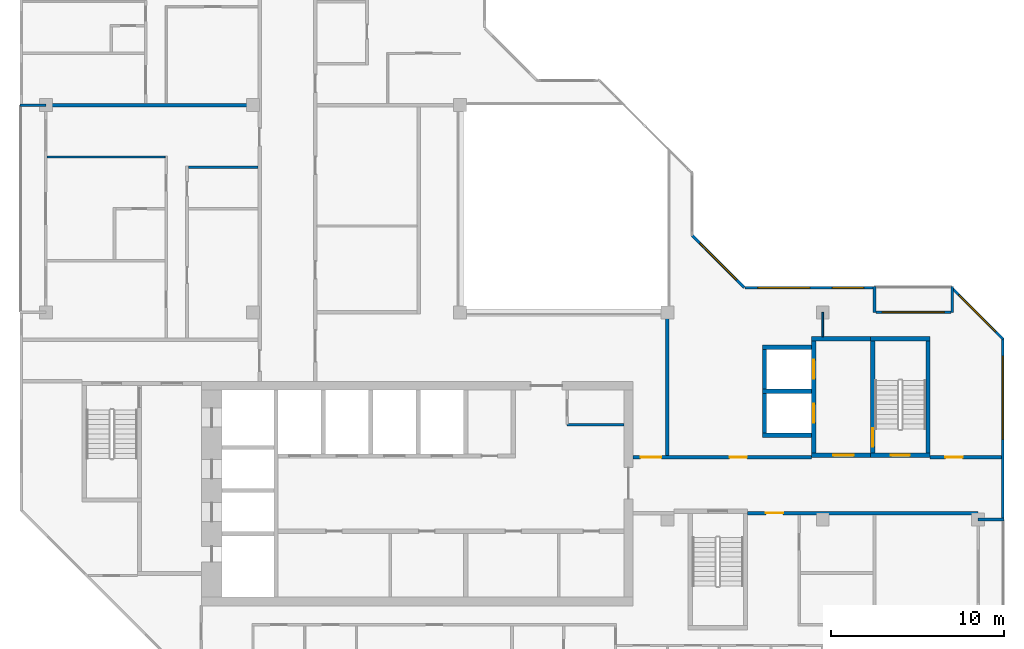
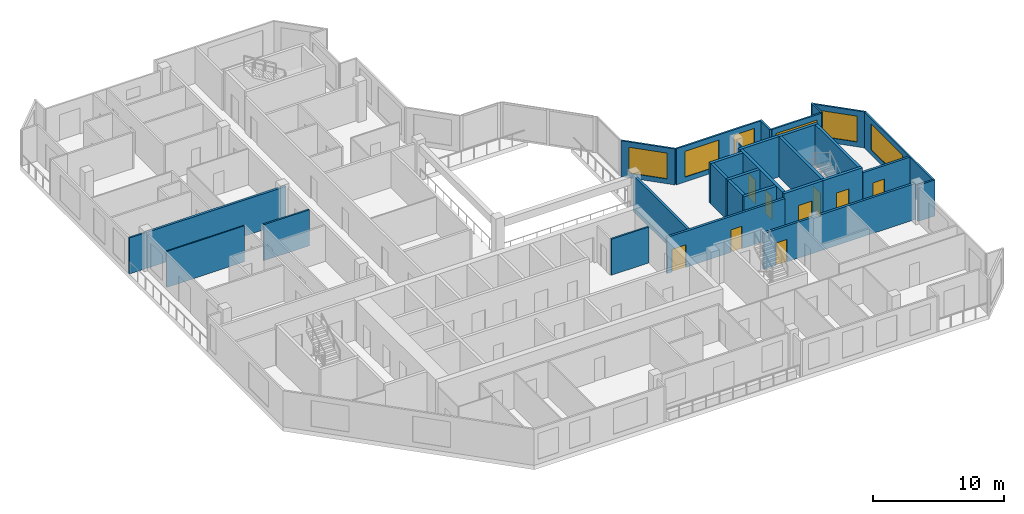
# One storey, part 7 of 12: 30 walls, 9 doors, 6 windows, 15 openings.
"""IFC4 building model written with IfcOpenShell, lengths in metres."""

from ifc_helpers import new_model, si_unit, direction, frame, frame_2d, origin, place, context, subcontext, project, spatial, rectangle, extrude, material, layer, layer_set, type_object, element, fill, save


model = new_model("IFC4")

# Units and contexts
model_context = context("Model", 3, precision=1e-05, world=origin(), true_north=direction((0.0, 1.0)))
body_context = subcontext(model_context, "Body", "Model", "MODEL_VIEW")
ifc_project = project(units=[si_unit("LENGTHUNIT", "METRE"), si_unit("AREAUNIT", "SQUARE_METRE"), si_unit("VOLUMEUNIT", "CUBIC_METRE"), si_unit("PLANEANGLEUNIT", "RADIAN"), si_unit("MASSUNIT", "GRAM", prefix="KILO")], contexts=[model_context])

# Site, building, storey
site_placement = place(None, origin())
site = spatial("IfcSite", under=ifc_project, at=site_placement, CompositionType="ELEMENT")
building_placement = place(site_placement, origin())
building = spatial("IfcBuilding", under=site, at=building_placement, Name="Chenar Terraces", CompositionType="ELEMENT")
storey_placement = place(building_placement, frame((0.0, 0.0, 357.64990234375)))
storey = spatial("IfcBuildingStorey", under=building, at=storey_placement, Name="L83", CompositionType="ELEMENT", Elevation=357.64990234375)

# Wall
ifc_material_1 = material(Name="Gypsum board on steel studs", Category="steel")
ifc_layer_1 = layer(ifc_material_1, 0.14990234375)
ifc_layer_set_1 = layer_set([ifc_layer_1], Name="Gypsum board on steel studs")
wall_type_1 = type_object("IfcWallType", Name="Core partition 150 gypsum board", PredefinedType="PARTITIONING", material=ifc_layer_set_1)
wall_1_placement = place(storey_placement, frame((30.199951171875, 17.5, 0.0), z_axis=(0.0, 0.0, 1.0), x_axis=(1.0, 0.0, 0.0)))
element("IfcWall", 1, at=wall_1_placement, inside=storey, type_object=wall_type_1, Name="Core partition CP1 vestibule room south wall", PredefinedType="PARTITIONING", context=body_context, shape_type="SweptSolid", body=[
    extrude(rectangle(XDim=3.300048828125, YDim=0.14990234375, at=frame_2d((1.64990234375, 0.0))), origin(), (0.0, 0.0, 1.0), 3.35009765625),
])

# Wall, opening, door
ifc_material_2 = material(Name="Concrete C50/60", Category="concrete")
ifc_layer_2 = layer(ifc_material_2, 0.25)
ifc_layer_set_2 = layer_set([ifc_layer_2], Name="Concrete C50/60")
wall_type_2 = type_object("IfcWallType", Name="Core wall 250 Concrete C50/60", PredefinedType="SHEAR", material=ifc_layer_set_2)
wall_2_placement = place(storey_placement, frame((47.77490234375, 15.72509765625, 0.0), z_axis=(0.0, 0.0, 1.0), x_axis=(1.0, 0.0, 0.0)))
wall_2 = element("IfcWall", 2, at=wall_2_placement, inside=storey, type_object=wall_type_2, Name="Core wall ST3_S L83", PredefinedType="SHEAR", context=body_context, shape_type="SweptSolid", body=[
    extrude(rectangle(XDim=3.4501953125, YDim=0.25, at=frame_2d((1.72509765625, 0.0))), origin(), (0.0, 0.0, 1.0), 3.75),
])
opening_1_placement = place(wall_2_placement, frame((1.175048828125, 0.0, 0.0)))
opening_1 = element("IfcOpeningElement", 3, at=opening_1_placement, cuts=wall_2, Name="Opening DL83-C8", PredefinedType="OPENING", context=body_context, shape_type="SweptSolid", body=[
    extrude(rectangle(XDim=1.10009765625, YDim=2.199951171875, at=frame_2d((0.550048828125, 1.10009765625))), frame((0.0, 0.135009765625, 0.0), z_axis=(0.0, -1.0, 0.0), x_axis=(1.0, 0.0, 0.0)), (0.0, 0.0, 1.0), 0.27001953125),
])
ifc_material_3 = material(Name="Steel-framed fire-resisting door leaf", Category="steel")
door_type_1 = type_object("IfcDoorType", Name="Stair fire door FD60 1100 x 2200", OperationType="SINGLE_SWING_LEFT", PredefinedType="DOOR", material=ifc_material_3)
door_1_placement = place(opening_1_placement, frame((1.10009765625, 0.0, 0.0), z_axis=(0.0, 0.0, 1.0), x_axis=(-1.0, 0.0, 0.0)))
door_1 = element("IfcDoor", 4, at=door_1_placement, inside=storey, type_object=door_type_1, Name="Stair door DL83-C8", OperationType="SINGLE_SWING_LEFT", OverallHeight=2.199951171875, OverallWidth=1.10009765625, PredefinedType="DOOR", context=body_context, shape_type="SweptSolid", body=[
    extrude(rectangle(XDim=1.10009765625, YDim=2.199951171875, at=frame_2d((0.550048828125, 1.10009765625))), frame((0.0, 0.02490234375, 0.0), z_axis=(0.0, -1.0, 0.0), x_axis=(1.0, 0.0, 0.0)), (0.0, 0.0, 1.0), 0.050048828125),
])
fill(opening_1, door_1)

# Wall
wall_3_placement = place(storey_placement, frame((47.77490234375, 22.47509765625, 0.0), z_axis=(0.0, 0.0, 1.0), x_axis=(1.0, 0.0, 0.0)))
element("IfcWall", 5, at=wall_3_placement, inside=storey, type_object=wall_type_2, Name="Core wall ST3_N L83", PredefinedType="SHEAR", context=body_context, shape_type="SweptSolid", body=[
    extrude(rectangle(XDim=3.4501953125, YDim=0.25, at=frame_2d((1.72509765625, 0.0))), origin(), (0.0, 0.0, 1.0), 3.75),
])

# Wall, opening, door
wall_4_placement = place(storey_placement, frame((47.89990234375, 15.85009765625, 0.0), z_axis=(0.0, 0.0, 1.0), x_axis=(0.0, 1.0, 0.0)))
wall_4 = element("IfcWall", 6, at=wall_4_placement, inside=storey, type_object=wall_type_2, Name="Core wall ST3_W L83", PredefinedType="SHEAR", context=body_context, shape_type="SweptSolid", body=[
    extrude(rectangle(XDim=6.5, YDim=0.25, at=frame_2d((3.25, 0.0))), origin(), (0.0, 0.0, 1.0), 3.75),
])
opening_2_placement = place(wall_4_placement, frame((0.35009765625, 0.0, 0.0)))
opening_2 = element("IfcOpeningElement", 7, at=opening_2_placement, cuts=wall_4, Name="Opening DL83-C11", PredefinedType="OPENING", context=body_context, shape_type="SweptSolid", body=[
    extrude(rectangle(XDim=1.10009765625, YDim=2.199951171875, at=frame_2d((0.550048828125, 1.10009765625))), frame((0.0, 0.135009765625, 0.0), z_axis=(0.0, -1.0, 0.0), x_axis=(1.0, 0.0, 0.0)), (0.0, 0.0, 1.0), 0.27001953125),
])
door_2_placement = place(opening_2_placement, frame((1.10009765625, 0.0, 0.0), z_axis=(0.0, 0.0, 1.0), x_axis=(-1.0, 0.0, 0.0)))
door_2 = element("IfcDoor", 8, at=door_2_placement, inside=storey, type_object=door_type_1, Name="Stair door DL83-C11", OperationType="SINGLE_SWING_RIGHT", OverallHeight=2.199951171875, OverallWidth=1.10009765625, PredefinedType="DOOR", context=body_context, shape_type="SweptSolid", body=[
    extrude(rectangle(XDim=1.10009765625, YDim=2.199951171875, at=frame_2d((0.550048828125, 1.10009765625))), frame((0.0, 0.02490234375, 0.0), z_axis=(0.0, -1.0, 0.0), x_axis=(1.0, 0.0, 0.0)), (0.0, 0.0, 1.0), 0.050048828125),
])
fill(opening_2, door_2)

# Wall
wall_5_placement = place(storey_placement, frame((51.10009765625, 15.85009765625, 0.0), z_axis=(0.0, 0.0, 1.0), x_axis=(0.0, 1.0, 0.0)))
element("IfcWall", 9, at=wall_5_placement, inside=storey, type_object=wall_type_2, Name="Core wall ST3_E L83", PredefinedType="SHEAR", context=body_context, shape_type="SweptSolid", body=[
    extrude(rectangle(XDim=6.5, YDim=0.25, at=frame_2d((3.25, 0.0))), origin(), (0.0, 0.0, 1.0), 3.75),
])

# Wall, opening, door
wall_6_placement = place(storey_placement, frame((44.35009765625, 15.72509765625, 0.0), z_axis=(0.0, 0.0, 1.0), x_axis=(1.0, 0.0, 0.0)))
wall_6 = element("IfcWall", 10, at=wall_6_placement, inside=storey, type_object=wall_type_2, Name="Core wall F3_LS L83", PredefinedType="SHEAR", context=body_context, shape_type="SweptSolid", body=[
    extrude(rectangle(XDim=3.4248046875, YDim=0.25, at=frame_2d((1.71240234375, 0.0))), origin(), (0.0, 0.0, 1.0), 3.75),
])
opening_3_placement = place(wall_6_placement, frame((1.25, 0.0, 0.0)))
opening_3 = element("IfcOpeningElement", 11, at=opening_3_placement, cuts=wall_6, Name="Opening DL83-C10", PredefinedType="OPENING", context=body_context, shape_type="SweptSolid", body=[
    extrude(rectangle(XDim=1.199951171875, YDim=2.199951171875, at=frame_2d((0.60009765625, 1.10009765625))), frame((0.0, 0.135009765625, 0.0), z_axis=(0.0, -1.0, 0.0), x_axis=(1.0, 0.0, 0.0)), (0.0, 0.0, 1.0), 0.27001953125),
])
ifc_material_4 = material(Name="Steel-framed fire-resisting door leaf", Category="steel")
door_type_2 = type_object("IfcDoorType", Name="Lobby fire door FD60 1200 x 2200", OperationType="SINGLE_SWING_LEFT", PredefinedType="DOOR", material=ifc_material_4)
door_3_placement = place(opening_3_placement, origin())
door_3 = element("IfcDoor", 12, at=door_3_placement, inside=storey, type_object=door_type_2, Name="Core door DL83-C10", OperationType="SINGLE_SWING_RIGHT", OverallHeight=2.199951171875, OverallWidth=1.199951171875, PredefinedType="DOOR", context=body_context, shape_type="SweptSolid", body=[
    extrude(rectangle(XDim=1.199951171875, YDim=2.199951171875, at=frame_2d((0.60009765625, 1.10009765625))), frame((0.0, 0.02490234375, 0.0), z_axis=(0.0, -1.0, 0.0), x_axis=(1.0, 0.0, 0.0)), (0.0, 0.0, 1.0), 0.050048828125),
])
fill(opening_3, door_3)

# Wall
wall_7_placement = place(storey_placement, frame((44.35009765625, 22.47509765625, 0.0), z_axis=(0.0, 0.0, 1.0), x_axis=(1.0, 0.0, 0.0)))
element("IfcWall", 13, at=wall_7_placement, inside=storey, type_object=wall_type_2, Name="Core wall F3_LN L83", PredefinedType="SHEAR", context=body_context, shape_type="SweptSolid", body=[
    extrude(rectangle(XDim=3.4248046875, YDim=0.25, at=frame_2d((1.71240234375, 0.0))), origin(), (0.0, 0.0, 1.0), 3.75),
])

# Wall, openings, doors
wall_8_placement = place(storey_placement, frame((44.47509765625, 15.85009765625, 0.0), z_axis=(0.0, 0.0, 1.0), x_axis=(0.0, 1.0, 0.0)))
wall_8 = element("IfcWall", 14, at=wall_8_placement, inside=storey, type_object=wall_type_2, Name="Core wall F3_LW L83", PredefinedType="SHEAR", context=body_context, shape_type="SweptSolid", body=[
    extrude(rectangle(XDim=6.5, YDim=0.25, at=frame_2d((3.25, 0.0))), origin(), (0.0, 0.0, 1.0), 3.75),
])
opening_4_placement = place(wall_8_placement, frame((1.75, 0.0, 0.0)))
opening_4 = element("IfcOpeningElement", 15, at=opening_4_placement, cuts=wall_8, Name="Opening DL83-LD8", PredefinedType="OPENING", context=body_context, shape_type="SweptSolid", body=[
    extrude(rectangle(XDim=1.10009765625, YDim=2.199951171875, at=frame_2d((0.550048828125, 1.10009765625))), frame((0.0, 0.135009765625, 0.0), z_axis=(0.0, -1.0, 0.0), x_axis=(1.0, 0.0, 0.0)), (0.0, 0.0, 1.0), 0.27001953125),
])
opening_5_placement = place(wall_8_placement, frame((4.300048828125, 0.0, 0.0)))
opening_5 = element("IfcOpeningElement", 16, at=opening_5_placement, cuts=wall_8, Name="Opening DL83-LD9", PredefinedType="OPENING", context=body_context, shape_type="SweptSolid", body=[
    extrude(rectangle(XDim=1.10009765625, YDim=2.199951171875, at=frame_2d((0.550048828125, 1.10009765625))), frame((0.0, 0.135009765625, 0.0), z_axis=(0.0, -1.0, 0.0), x_axis=(1.0, 0.0, 0.0)), (0.0, 0.0, 1.0), 0.27001953125),
])
ifc_material_5 = material(Name="Stainless steel", Category="steel")
door_type_3 = type_object("IfcDoorType", Name="Lift landing door 1100 x 2200 sliding", OperationType="DOUBLE_DOOR_SLIDING", PredefinedType="DOOR", material=ifc_material_5)
door_4_placement = place(opening_4_placement, origin())
door_4 = element("IfcDoor", 17, at=door_4_placement, inside=storey, type_object=door_type_3, Name="Landing door F3", OperationType="DOUBLE_DOOR_SLIDING", OverallHeight=2.199951171875, OverallWidth=1.10009765625, PredefinedType="DOOR", context=body_context, shape_type="SweptSolid", body=[
    extrude(rectangle(XDim=1.10009765625, YDim=2.199951171875, at=frame_2d((0.550048828125, 1.10009765625))), frame((0.0, 0.02490234375, 0.0), z_axis=(0.0, -1.0, 0.0), x_axis=(1.0, 0.0, 0.0)), (0.0, 0.0, 1.0), 0.050048828125),
])
fill(opening_4, door_4)
door_5_placement = place(opening_5_placement, origin())
door_5 = element("IfcDoor", 18, at=door_5_placement, inside=storey, type_object=door_type_3, Name="Landing door F4", OperationType="DOUBLE_DOOR_SLIDING", OverallHeight=2.199951171875, OverallWidth=1.10009765625, PredefinedType="DOOR", context=body_context, shape_type="SweptSolid", body=[
    extrude(rectangle(XDim=1.10009765625, YDim=2.199951171875, at=frame_2d((0.550048828125, 1.10009765625))), frame((0.0, 0.02490234375, 0.0), z_axis=(0.0, -1.0, 0.0), x_axis=(1.0, 0.0, 0.0)), (0.0, 0.0, 1.0), 0.050048828125),
])
fill(opening_5, door_5)

# Walls
for number, where, z_axis, x_axis, name in (
    (19, (41.5, 16.875, 0.0), (0.0, 0.0, 1.0), (1.0, 0.0, 0.0), "Core wall F3_SS L83"),
    (20, (41.5, 19.425048828125, 0.0), (0.0, 0.0, 1.0), (1.0, 0.0, 0.0), "Core wall F3_SM L83"),
    (21, (41.5, 21.97509765625, 0.0), (0.0, 0.0, 1.0), (1.0, 0.0, 0.0), "Core wall F4_SN L83"),
):
    element("IfcWall", number, at=place(storey_placement, frame(where, z_axis=z_axis, x_axis=x_axis)), inside=storey, type_object=wall_type_2, Name=name, PredefinedType="SHEAR", context=body_context, shape_type="SweptSolid", body=[
        extrude(rectangle(XDim=2.85009765625, YDim=0.25, at=frame_2d((1.425048828125, 0.0))), origin(), (0.0, 0.0, 1.0), 3.75),
    ])
for number, where, z_axis, x_axis, name in (
    (22, (41.625, 17.0, 0.0), (0.0, 0.0, 1.0), (0.0, 1.0, 0.0), "Core wall F3_SW L83"),
    (23, (41.625, 19.550048828125, 0.0), (0.0, 0.0, 1.0), (0.0, 1.0, 0.0), "Core wall F4_SW L83"),
):
    element("IfcWall", number, at=place(storey_placement, frame(where, z_axis=z_axis, x_axis=x_axis)), inside=storey, type_object=wall_type_2, Name=name, PredefinedType="SHEAR", context=body_context, shape_type="SweptSolid", body=[
        extrude(rectangle(XDim=2.300048828125, YDim=0.25, at=frame_2d((1.14990234375, 0.0))), origin(), (0.0, 0.0, 1.0), 3.75),
    ])

# Wall, openings, doors
ifc_material_6 = material(Name="Gypsum board on steel studs with fire boards", Category="steel")
ifc_layer_3 = layer(ifc_material_6, 0.199951171875)
ifc_layer_set_3 = layer_set([ifc_layer_3], Name="Gypsum board on steel studs with fire boards")
wall_type_3 = type_object("IfcWallType", Name="Corridor wall 200", PredefinedType="PARTITIONING", material=ifc_layer_set_3)
wall_9_placement = place(storey_placement, frame((34.0, 15.60009765625, 0.0), z_axis=(0.0, 0.0, 1.0), x_axis=(1.0, 0.0, 0.0)))
wall_9 = element("IfcWall", 24, at=wall_9_placement, inside=storey, type_object=wall_type_3, Name="Partition L83-053", PredefinedType="PARTITIONING", context=body_context, shape_type="SweptSolid", body=[
    extrude(rectangle(XDim=10.35009765625, YDim=0.199951171875, at=frame_2d((5.175048828125, 0.0))), origin(), (0.0, 0.0, 1.0), 3.35009765625),
])
opening_6_placement = place(wall_9_placement, frame((5.60009765625, 0.0, 0.0)))
opening_6 = element("IfcOpeningElement", 25, at=opening_6_placement, cuts=wall_9, Name="Opening DL83-3", PredefinedType="OPENING", context=body_context, shape_type="SweptSolid", body=[
    extrude(rectangle(XDim=1.0, YDim=2.10009765625, at=frame_2d((0.5, 1.050048828125))), frame((0.0, 0.10986328125, 0.0), z_axis=(0.0, -1.0, 0.0), x_axis=(1.0, 0.0, 0.0)), (0.0, 0.0, 1.0), 0.219970703125),
])
opening_7_placement = place(wall_9_placement, frame((0.449951171875, 0.0, 0.0)))
opening_7 = element("IfcOpeningElement", 26, at=opening_7_placement, cuts=wall_9, Name="Opening DL83-18", PredefinedType="OPENING", context=body_context, shape_type="SweptSolid", body=[
    extrude(rectangle(XDim=1.199951171875, YDim=2.10009765625, at=frame_2d((0.60009765625, 1.050048828125))), frame((0.0, 0.10986328125, 0.0), z_axis=(0.0, -1.0, 0.0), x_axis=(1.0, 0.0, 0.0)), (0.0, 0.0, 1.0), 0.219970703125),
])
ifc_material_7 = material(Name="Steel-framed fire-resisting door leaf", Category="steel")
door_type_4 = type_object("IfcDoorType", Name="Fire door FD60 1000 x 2100", OperationType="SINGLE_SWING_LEFT", PredefinedType="DOOR", material=ifc_material_7)
door_6_placement = place(opening_6_placement, origin())
door_6 = element("IfcDoor", 27, at=door_6_placement, inside=storey, type_object=door_type_4, Name="Door DL83-3", OperationType="SINGLE_SWING_RIGHT", OverallHeight=2.10009765625, OverallWidth=1.0, PredefinedType="DOOR", context=body_context, shape_type="SweptSolid", body=[
    extrude(rectangle(XDim=1.0, YDim=2.10009765625, at=frame_2d((0.5, 1.050048828125))), frame((0.0, 0.02490234375, 0.0), z_axis=(0.0, -1.0, 0.0), x_axis=(1.0, 0.0, 0.0)), (0.0, 0.0, 1.0), 0.050048828125),
])
fill(opening_6, door_6)
ifc_material_8 = material(Name="Steel-framed fire-resisting door leaf", Category="steel")
door_type_5 = type_object("IfcDoorType", Name="Fire door FD60 1200 x 2100", OperationType="SINGLE_SWING_LEFT", PredefinedType="DOOR", material=ifc_material_8)
door_7_placement = place(opening_7_placement, origin())
door_7 = element("IfcDoor", 28, at=door_7_placement, inside=storey, type_object=door_type_5, Name="Door DL83-18", OperationType="SINGLE_SWING_RIGHT", OverallHeight=2.10009765625, OverallWidth=1.199951171875, PredefinedType="DOOR", context=body_context, shape_type="SweptSolid", body=[
    extrude(rectangle(XDim=1.199951171875, YDim=2.10009765625, at=frame_2d((0.60009765625, 1.050048828125))), frame((0.0, 0.02490234375, 0.0), z_axis=(0.0, -1.0, 0.0), x_axis=(1.0, 0.0, 0.0)), (0.0, 0.0, 1.0), 0.050048828125),
])
fill(opening_7, door_7)

# Wall
wall_10_placement = place(storey_placement, frame((36.0, 15.699951171875, 0.0), z_axis=(0.0, 0.0, 1.0), x_axis=(0.0, 1.0, 0.0)))
element("IfcWall", 29, at=wall_10_placement, inside=storey, type_object=wall_type_3, Name="Partition L83-055", PredefinedType="PARTITIONING", context=body_context, shape_type="SweptSolid", body=[
    extrude(rectangle(XDim=8.300048828125, YDim=0.199951171875, at=frame_2d((4.14990234375, 0.0))), origin(), (0.0, 0.0, 1.0), 3.35009765625),
])

# Wall, opening, door
wall_11_placement = place(storey_placement, frame((40.64990234375, 12.375, 0.0), z_axis=(0.0, 0.0, 1.0), x_axis=(1.0, 0.0, 0.0)))
wall_11 = element("IfcWall", 30, at=wall_11_placement, inside=storey, type_object=wall_type_3, Name="Partition L83-057", PredefinedType="PARTITIONING", context=body_context, shape_type="SweptSolid", body=[
    extrude(rectangle(XDim=13.35009765625, YDim=0.199951171875, at=frame_2d((6.675048828125, 0.0))), origin(), (0.0, 0.0, 1.0), 3.35009765625),
])
opening_8_placement = place(wall_11_placement, frame((1.050048828125, 0.0, 0.0)))
opening_8 = element("IfcOpeningElement", 31, at=opening_8_placement, cuts=wall_11, Name="Opening DL83-35", PredefinedType="OPENING", context=body_context, shape_type="SweptSolid", body=[
    extrude(rectangle(XDim=1.0, YDim=2.10009765625, at=frame_2d((0.5, 1.050048828125))), frame((0.0, 0.10986328125, 0.0), z_axis=(0.0, -1.0, 0.0), x_axis=(1.0, 0.0, 0.0)), (0.0, 0.0, 1.0), 0.219970703125),
])
ifc_material_9 = material(Name="Steel-framed fire-resisting door leaf", Category="steel")
door_type_6 = type_object("IfcDoorType", Name="Fire door FD30S 1000 x 2100", OperationType="SINGLE_SWING_LEFT", PredefinedType="DOOR", material=ifc_material_9)
door_8_placement = place(opening_8_placement, origin())
door_8 = element("IfcDoor", 32, at=door_8_placement, inside=storey, type_object=door_type_6, Name="Door DL83-35", OperationType="SINGLE_SWING_LEFT", OverallHeight=2.10009765625, OverallWidth=1.0, PredefinedType="DOOR", context=body_context, shape_type="SweptSolid", body=[
    extrude(rectangle(XDim=1.0, YDim=2.10009765625, at=frame_2d((0.5, 1.050048828125))), frame((0.0, 0.02490234375, 0.0), z_axis=(0.0, -1.0, 0.0), x_axis=(1.0, 0.0, 0.0)), (0.0, 0.0, 1.0), 0.050048828125),
])
fill(opening_8, door_8)

wall_12_placement = place(storey_placement, frame((51.22509765625, 15.60009765625, 0.0), z_axis=(0.0, 0.0, 1.0), x_axis=(1.0, 0.0, 0.0)))
wall_12 = element("IfcWall", 33, at=wall_12_placement, inside=storey, type_object=wall_type_3, Name="Partition L83-065", PredefinedType="PARTITIONING", context=body_context, shape_type="SweptSolid", body=[
    extrude(rectangle(XDim=4.125, YDim=0.199951171875, at=frame_2d((2.0625, 0.0))), origin(), (0.0, 0.0, 1.0), 3.35009765625),
])
opening_9_placement = place(wall_12_placement, frame((0.875, 0.0, 0.0)))
opening_9 = element("IfcOpeningElement", 34, at=opening_9_placement, cuts=wall_12, Name="Opening DL83-21", PredefinedType="OPENING", context=body_context, shape_type="SweptSolid", body=[
    extrude(rectangle(XDim=1.0, YDim=2.10009765625, at=frame_2d((0.5, 1.050048828125))), frame((0.0, 0.10986328125, 0.0), z_axis=(0.0, -1.0, 0.0), x_axis=(1.0, 0.0, 0.0)), (0.0, 0.0, 1.0), 0.219970703125),
])
door_9_placement = place(opening_9_placement, origin())
door_9 = element("IfcDoor", 35, at=door_9_placement, inside=storey, type_object=door_type_4, Name="Door DL83-21", OperationType="SINGLE_SWING_LEFT", OverallHeight=2.10009765625, OverallWidth=1.0, PredefinedType="DOOR", context=body_context, shape_type="SweptSolid", body=[
    extrude(rectangle(XDim=1.0, YDim=2.10009765625, at=frame_2d((0.5, 1.050048828125))), frame((0.0, 0.02490234375, 0.0), z_axis=(0.0, -1.0, 0.0), x_axis=(1.0, 0.0, 0.0)), (0.0, 0.0, 1.0), 0.050048828125),
])
fill(opening_9, door_9)

# Wall, openings, windows
ifc_material_10 = material(Name="Aluminium framed glazing", Category="aluminium")
ifc_layer_4 = layer(ifc_material_10, 0.14990234375)
ifc_layer_set_4 = layer_set([ifc_layer_4], Name="Aluminium framed glazing")
wall_type_4 = type_object("IfcWallType", Name="Glazed flush facade wall 150", PredefinedType="SOLIDWALL", material=ifc_layer_set_4)
wall_13_placement = place(storey_placement, frame((47.925048828125, 25.425048828125, 0.0), z_axis=(0.0, 0.0, 1.0), x_axis=(-1.0, 0.0, 0.0)))
wall_13 = element("IfcWall", 36, at=wall_13_placement, inside=storey, type_object=wall_type_4, Name="Glazed flush facade wall", PredefinedType="SOLIDWALL", context=body_context, shape_type="SweptSolid", body=[
    extrude(rectangle(XDim=7.425048828125, YDim=0.14990234375, at=frame_2d((3.71240234375, 0.0))), origin(), (0.0, 0.0, 1.0), 3.35009765625),
])
opening_10_placement = place(wall_13_placement, frame((0.5625, 0.0, 0.449951171875)))
opening_10 = element("IfcOpeningElement", 37, at=opening_10_placement, cuts=wall_13, Name="Opening W180x240", PredefinedType="OPENING", context=body_context, shape_type="SweptSolid", body=[
    extrude(rectangle(XDim=1.800048828125, YDim=2.39990234375, at=frame_2d((0.89990234375, 1.199951171875))), frame((0.0, 0.0849609375, 0.0), z_axis=(0.0, -1.0, 0.0), x_axis=(1.0, 0.0, 0.0)), (0.0, 0.0, 1.0), 0.169921875),
])
opening_11_placement = place(wall_13_placement, frame((3.675048828125, 0.0, 0.449951171875)))
opening_11 = element("IfcOpeningElement", 38, at=opening_11_placement, cuts=wall_13, Name="Opening W300x240", PredefinedType="OPENING", context=body_context, shape_type="SweptSolid", body=[
    extrude(rectangle(XDim=3.0, YDim=2.39990234375, at=frame_2d((1.5, 1.199951171875))), frame((0.0, 0.0849609375, 0.0), z_axis=(0.0, -1.0, 0.0), x_axis=(1.0, 0.0, 0.0)), (0.0, 0.0, 1.0), 0.169921875),
])
ifc_material_11 = material(Name="Low emissivity double glazing, aluminium frame", Category="aluminium")
window_type_1 = type_object("IfcWindowType", Name="Fixed light 1800 x 2400", PartitioningType="SINGLE_PANEL", PredefinedType="WINDOW", material=ifc_material_11)
window_1_placement = place(opening_10_placement, origin())
window_1 = element("IfcWindow", 39, at=window_1_placement, inside=storey, type_object=window_type_1, Name="Window", OverallHeight=2.39990234375, OverallWidth=1.800048828125, PartitioningType="SINGLE_PANEL", PredefinedType="WINDOW", context=body_context, shape_type="SweptSolid", body=[
    extrude(rectangle(XDim=1.800048828125, YDim=2.39990234375, at=frame_2d((0.89990234375, 1.199951171875))), frame((0.0, 0.030029296875, 0.0), z_axis=(0.0, -1.0, 0.0), x_axis=(1.0, 0.0, 0.0)), (0.0, 0.0, 1.0), 0.06005859375),
])
fill(opening_10, window_1)
ifc_material_12 = material(Name="Low emissivity double glazing, aluminium frame", Category="aluminium")
window_type_2 = type_object("IfcWindowType", Name="Fixed light 3000 x 2400", PartitioningType="SINGLE_PANEL", PredefinedType="WINDOW", material=ifc_material_12)
window_2_placement = place(opening_11_placement, origin())
window_2 = element("IfcWindow", 40, at=window_2_placement, inside=storey, type_object=window_type_2, Name="Window", OverallHeight=2.39990234375, OverallWidth=3.0, PartitioningType="SINGLE_PANEL", PredefinedType="WINDOW", context=body_context, shape_type="SweptSolid", body=[
    extrude(rectangle(XDim=3.0, YDim=2.39990234375, at=frame_2d((1.5, 1.199951171875))), frame((0.0, 0.030029296875, 0.0), z_axis=(0.0, -1.0, 0.0), x_axis=(1.0, 0.0, 0.0)), (0.0, 0.0, 1.0), 0.06005859375),
])
fill(opening_11, window_2)

# Wall, opening, window
wall_14_placement = place(storey_placement, frame((55.425048828125, 12.074951171875, 0.0), z_axis=(0.0, 0.0, 1.0), x_axis=(0.0, 1.0, 0.0)))
wall_14 = element("IfcWall", 41, at=wall_14_placement, inside=storey, type_object=wall_type_4, Name="Glazed flush facade wall", PredefinedType="SOLIDWALL", context=body_context, shape_type="SweptSolid", body=[
    extrude(rectangle(XDim=10.425048828125, YDim=0.14990234375, at=frame_2d((5.21240234375, 0.0))), origin(), (0.0, 0.0, 1.0), 3.35009765625),
])
opening_12_placement = place(wall_14_placement, frame((4.574951171875, 0.0, 0.449951171875)))
opening_12 = element("IfcOpeningElement", 42, at=opening_12_placement, cuts=wall_14, Name="Opening W480x240", PredefinedType="OPENING", context=body_context, shape_type="SweptSolid", body=[
    extrude(rectangle(XDim=4.800048828125, YDim=2.39990234375, at=frame_2d((2.39990234375, 1.199951171875))), frame((0.0, 0.0849609375, 0.0), z_axis=(0.0, -1.0, 0.0), x_axis=(1.0, 0.0, 0.0)), (0.0, 0.0, 1.0), 0.169921875),
])
ifc_material_13 = material(Name="Low emissivity double glazing, aluminium frame", Category="aluminium")
window_type_3 = type_object("IfcWindowType", Name="Fixed light 4800 x 2400", PartitioningType="SINGLE_PANEL", PredefinedType="WINDOW", material=ifc_material_13)
window_3_placement = place(opening_12_placement, origin())
window_3 = element("IfcWindow", 43, at=window_3_placement, inside=storey, type_object=window_type_3, Name="Window", OverallHeight=2.39990234375, OverallWidth=4.800048828125, PartitioningType="SINGLE_PANEL", PredefinedType="WINDOW", context=body_context, shape_type="SweptSolid", body=[
    extrude(rectangle(XDim=4.800048828125, YDim=2.39990234375, at=frame_2d((2.39990234375, 1.199951171875))), frame((0.0, 0.030029296875, 0.0), z_axis=(0.0, -1.0, 0.0), x_axis=(1.0, 0.0, 0.0)), (0.0, 0.0, 1.0), 0.06005859375),
])
fill(opening_12, window_3)

ifc_material_14 = material(Name="Aluminium framed glazing", Category="aluminium")
ifc_layer_5 = layer(ifc_material_14, 0.14990234375)
ifc_layer_set_5 = layer_set([ifc_layer_5], Name="Aluminium framed glazing")
wall_type_5 = type_object("IfcWallType", Name="Glazed loggia back wall 150", PredefinedType="SOLIDWALL", material=ifc_layer_set_5)
wall_15_placement = place(storey_placement, frame((52.425048828125, 24.0, 0.0), z_axis=(0.0, 0.0, 1.0), x_axis=(-1.0, 0.0, 0.0)))
wall_15 = element("IfcWall", 44, at=wall_15_placement, inside=storey, type_object=wall_type_5, Name="Glazed loggia back wall", PredefinedType="SOLIDWALL", context=body_context, shape_type="SweptSolid", body=[
    extrude(rectangle(XDim=4.35009765625, YDim=0.14990234375, at=frame_2d((2.175048828125, 0.0))), origin(), (0.0, 0.0, 1.0), 3.35009765625),
])
opening_13_placement = place(wall_15_placement, frame((0.375, 0.0, 0.449951171875)))
opening_13 = element("IfcOpeningElement", 45, at=opening_13_placement, cuts=wall_15, Name="Opening W360x240", PredefinedType="OPENING", context=body_context, shape_type="SweptSolid", body=[
    extrude(rectangle(XDim=3.60009765625, YDim=2.39990234375, at=frame_2d((1.800048828125, 1.199951171875))), frame((0.0, 0.0849609375, 0.0), z_axis=(0.0, -1.0, 0.0), x_axis=(1.0, 0.0, 0.0)), (0.0, 0.0, 1.0), 0.169921875),
])
ifc_material_15 = material(Name="Low emissivity double glazing, aluminium frame", Category="aluminium")
window_type_4 = type_object("IfcWindowType", Name="Fixed light 3600 x 2400", PartitioningType="SINGLE_PANEL", PredefinedType="WINDOW", material=ifc_material_15)
window_4_placement = place(opening_13_placement, origin())
window_4 = element("IfcWindow", 46, at=window_4_placement, inside=storey, type_object=window_type_4, Name="Window", OverallHeight=2.39990234375, OverallWidth=3.60009765625, PartitioningType="SINGLE_PANEL", PredefinedType="WINDOW", context=body_context, shape_type="SweptSolid", body=[
    extrude(rectangle(XDim=3.60009765625, YDim=2.39990234375, at=frame_2d((1.800048828125, 1.199951171875))), frame((0.0, 0.030029296875, 0.0), z_axis=(0.0, -1.0, 0.0), x_axis=(1.0, 0.0, 0.0)), (0.0, 0.0, 1.0), 0.06005859375),
])
fill(opening_13, window_4)

# Walls
ifc_material_16 = material(Name="Gypsum board on steel studs", Category="steel")
ifc_layer_6 = layer(ifc_material_16, 0.10009765625)
ifc_layer_set_6 = layer_set([ifc_layer_6], Name="Gypsum board on steel studs")
wall_type_6 = type_object("IfcWallType", Name="Gypsum partition 100", PredefinedType="PARTITIONING", material=ifc_layer_set_6)
wall_16_placement = place(storey_placement, frame((0.073974609375, 33.0, 0.0), z_axis=(0.0, 0.0, 1.0), x_axis=(1.0, 0.0, 0.0)))
element("IfcWall", 47, at=wall_16_placement, inside=storey, type_object=wall_type_6, Name="Partition L83-008", PredefinedType="PARTITIONING", context=body_context, shape_type="SweptSolid", body=[
    extrude(rectangle(XDim=6.825927734375, YDim=0.10009765625, at=frame_2d((3.4130859375, 0.0))), origin(), (0.0, 0.0, 1.0), 3.35009765625),
])
wall_17_placement = place(storey_placement, frame((45.0, 22.60009765625, 0.0), z_axis=(0.0, 0.0, 1.0), x_axis=(0.0, 1.0, 0.0)))
element("IfcWall", 48, at=wall_17_placement, inside=storey, type_object=wall_type_6, Name="Partition L83-063", PredefinedType="PARTITIONING", context=body_context, shape_type="SweptSolid", body=[
    extrude(rectangle(XDim=1.39990234375, YDim=0.10009765625, at=frame_2d((0.699951171875, 0.0))), origin(), (0.0, 0.0, 1.0), 3.35009765625),
])
ifc_material_17 = material(Name="Terracotta cladding on insulated backing", Category="masonry")
ifc_layer_7 = layer(ifc_material_17, 0.14990234375)
ifc_layer_set_7 = layer_set([ifc_layer_7], Name="Terracotta cladding on insulated backing")
wall_type_7 = type_object("IfcWallType", Name="Loggia return wall 150", PredefinedType="SOLIDWALL", material=ifc_layer_set_7)
for number, where, z_axis, x_axis, name in (
    (49, (52.5, 25.5, 0.0), (0.0, 0.0, 1.0), (0.0, -1.0, 0.0), "Loggia return wall"),
    (50, (48.0, 25.5, 0.0), (0.0, 0.0, 1.0), (0.0, -1.0, 0.0), "Loggia return wall"),
    (51, (-1.5, 36.0, 0.0), (0.0, 0.0, 1.0), (1.0, 0.0, 0.0), "Loggia return wall"),
    (52, (55.5, 12.0, 0.0), (0.0, 0.0, 1.0), (-1.0, 0.0, 0.0), "Loggia return wall"),
):
    element("IfcWall", number, at=place(storey_placement, frame(where, z_axis=z_axis, x_axis=x_axis)), inside=storey, type_object=wall_type_7, Name=name, PredefinedType="SOLIDWALL", context=body_context, shape_type="SweptSolid", body=[
        extrude(rectangle(XDim=1.5, YDim=0.14990234375, at=frame_2d((0.75, 0.0))), origin(), (0.0, 0.0, 1.0), 3.35009765625),
    ])

# Wall, opening, window
ifc_material_18 = material(Name="Terracotta cladding on insulated backing", Category="masonry")
ifc_layer_8 = layer(ifc_material_18, 0.14990234375)
ifc_layer_set_8 = layer_set([ifc_layer_8], Name="Terracotta cladding on insulated backing")
wall_type_8 = type_object("IfcWallType", Name="Terracotta rainscreen wall 150", PredefinedType="SOLIDWALL", material=ifc_layer_set_8)
wall_18_placement = place(storey_placement, frame((40.447021484375, 25.447021484375, 0.0), z_axis=(0.0, 0.0, 1.0), x_axis=(-0.707106781187, 0.707106781187, 0.0)))
wall_18 = element("IfcWall", 53, at=wall_18_placement, inside=storey, type_object=wall_type_8, Name="Terracotta rainscreen wall", PredefinedType="SOLIDWALL", context=body_context, shape_type="SweptSolid", body=[
    extrude(rectangle(XDim=4.24267578125, YDim=0.14990234375, at=frame_2d((2.121337890625, 0.0))), origin(), (0.0, 0.0, 1.0), 3.35009765625),
])
opening_14_placement = place(wall_18_placement, frame((0.621337890625, 0.0, 0.449951171875)))
opening_14 = element("IfcOpeningElement", 54, at=opening_14_placement, cuts=wall_18, Name="Opening W300x240", PredefinedType="OPENING", context=body_context, shape_type="SweptSolid", body=[
    extrude(rectangle(XDim=3.0, YDim=2.39990234375, at=frame_2d((1.5, 1.199951171875))), frame((0.0, 0.0849609375, 0.0), z_axis=(0.0, -1.0, 0.0), x_axis=(1.0, 0.0, 0.0)), (0.0, 0.0, 1.0), 0.169921875),
])
window_5_placement = place(opening_14_placement, origin())
window_5 = element("IfcWindow", 55, at=window_5_placement, inside=storey, type_object=window_type_2, Name="Window", OverallHeight=2.39990234375, OverallWidth=3.0, PartitioningType="SINGLE_PANEL", PredefinedType="WINDOW", context=body_context, shape_type="SweptSolid", body=[
    extrude(rectangle(XDim=3.0, YDim=2.39990234375, at=frame_2d((1.5, 1.199951171875))), frame((0.0, 0.030029296875, 0.0), z_axis=(0.0, -1.0, 0.0), x_axis=(1.0, 0.0, 0.0)), (0.0, 0.0, 1.0), 0.06005859375),
])
fill(opening_14, window_5)

wall_19_placement = place(storey_placement, frame((55.447021484375, 22.447021484375, 0.0), z_axis=(0.0, 0.0, 1.0), x_axis=(-0.707106781187, 0.707106781187, 0.0)))
wall_19 = element("IfcWall", 56, at=wall_19_placement, inside=storey, type_object=wall_type_8, Name="Terracotta rainscreen wall", PredefinedType="SOLIDWALL", context=body_context, shape_type="SweptSolid", body=[
    extrude(rectangle(XDim=4.24267578125, YDim=0.14990234375, at=frame_2d((2.121337890625, 0.0))), origin(), (0.0, 0.0, 1.0), 3.35009765625),
])
opening_15_placement = place(wall_19_placement, frame((0.621337890625, 0.0, 0.449951171875)))
opening_15 = element("IfcOpeningElement", 57, at=opening_15_placement, cuts=wall_19, Name="Opening W300x240", PredefinedType="OPENING", context=body_context, shape_type="SweptSolid", body=[
    extrude(rectangle(XDim=3.0, YDim=2.39990234375, at=frame_2d((1.5, 1.199951171875))), frame((0.0, 0.0849609375, 0.0), z_axis=(0.0, -1.0, 0.0), x_axis=(1.0, 0.0, 0.0)), (0.0, 0.0, 1.0), 0.169921875),
])
window_6_placement = place(opening_15_placement, origin())
window_6 = element("IfcWindow", 58, at=window_6_placement, inside=storey, type_object=window_type_2, Name="Window", OverallHeight=2.39990234375, OverallWidth=3.0, PartitioningType="SINGLE_PANEL", PredefinedType="WINDOW", context=body_context, shape_type="SweptSolid", body=[
    extrude(rectangle(XDim=3.0, YDim=2.39990234375, at=frame_2d((1.5, 1.199951171875))), frame((0.0, 0.030029296875, 0.0), z_axis=(0.0, -1.0, 0.0), x_axis=(1.0, 0.0, 0.0)), (0.0, 0.0, 1.0), 0.06005859375),
])
fill(opening_15, window_6)

# Walls
ifc_material_19 = material(Name="Twin gypsum board on steel studs with mineral wool", Category="steel")
ifc_layer_9 = layer(ifc_material_19, 0.199951171875)
ifc_layer_set_9 = layer_set([ifc_layer_9], Name="Twin gypsum board on steel studs with mineral wool")
wall_type_9 = type_object("IfcWallType", Name="Unit demising wall 200", PredefinedType="PARTITIONING", material=ifc_layer_set_9)
wall_20_placement = place(storey_placement, frame((0.0, 36.0, 0.0), z_axis=(0.0, 0.0, 1.0), x_axis=(1.0, 0.0, 0.0)))
element("IfcWall", 59, at=wall_20_placement, inside=storey, type_object=wall_type_9, Name="Partition L83-004", PredefinedType="PARTITIONING", context=body_context, shape_type="SweptSolid", body=[
    extrude(rectangle(XDim=12.27490234375, YDim=0.199951171875, at=frame_2d((6.137451171875, 0.0))), origin(), (0.0, 0.0, 1.0), 3.35009765625),
])
ifc_material_20 = material(Name="Moisture-resistant gypsum board on steel studs", Category="steel")
ifc_layer_10 = layer(ifc_material_20, 0.14990234375)
ifc_layer_set_10 = layer_set([ifc_layer_10], Name="Moisture-resistant gypsum board on steel studs")
wall_type_10 = type_object("IfcWallType", Name="Wet-room partition 150", PredefinedType="PARTITIONING", material=ifc_layer_set_10)
wall_21_placement = place(storey_placement, frame((8.25, 32.39990234375, 0.0), z_axis=(0.0, 0.0, 1.0), x_axis=(1.0, 0.0, 0.0)))
element("IfcWall", 60, at=wall_21_placement, inside=storey, type_object=wall_type_10, Name="Partition L83-027", PredefinedType="PARTITIONING", context=body_context, shape_type="SweptSolid", body=[
    extrude(rectangle(XDim=4.02490234375, YDim=0.14990234375, at=frame_2d((2.012451171875, 0.0))), origin(), (0.0, 0.0, 1.0), 3.35009765625),
])

save(model, "model.ifc")
